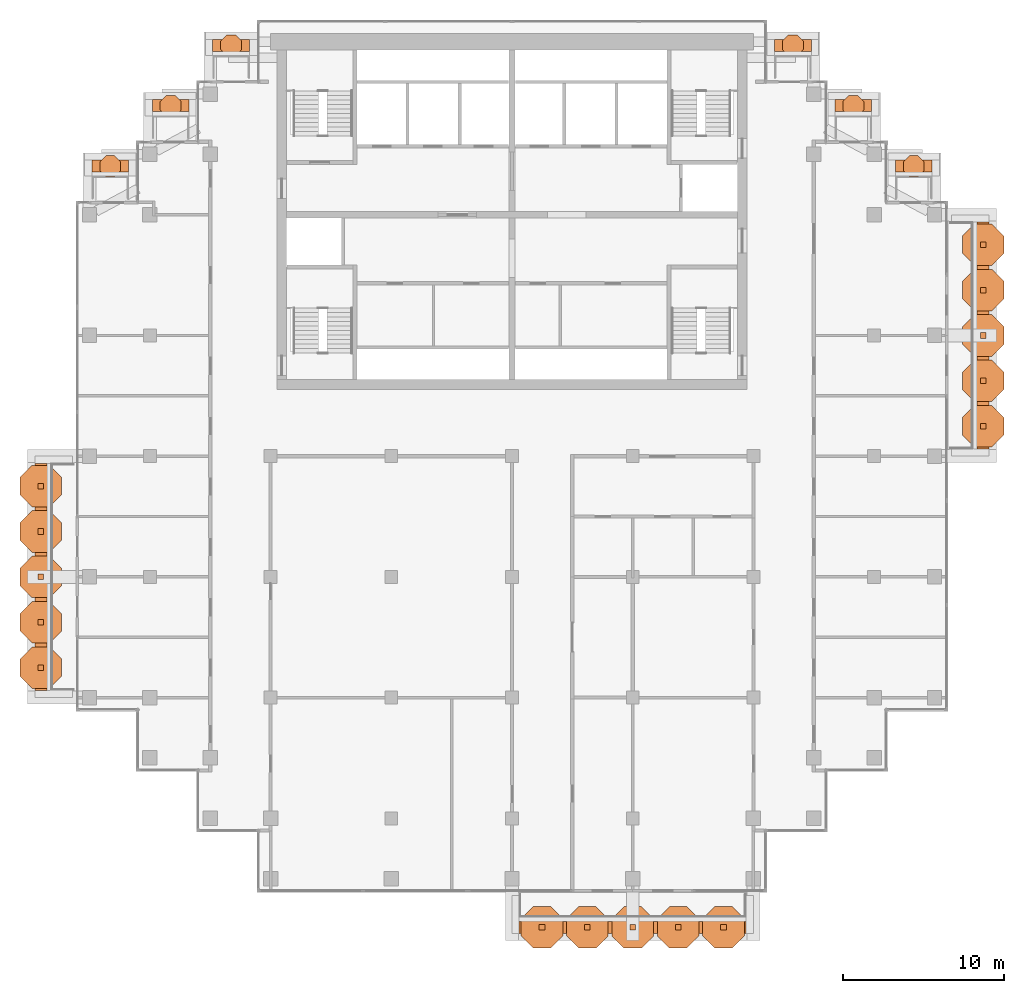
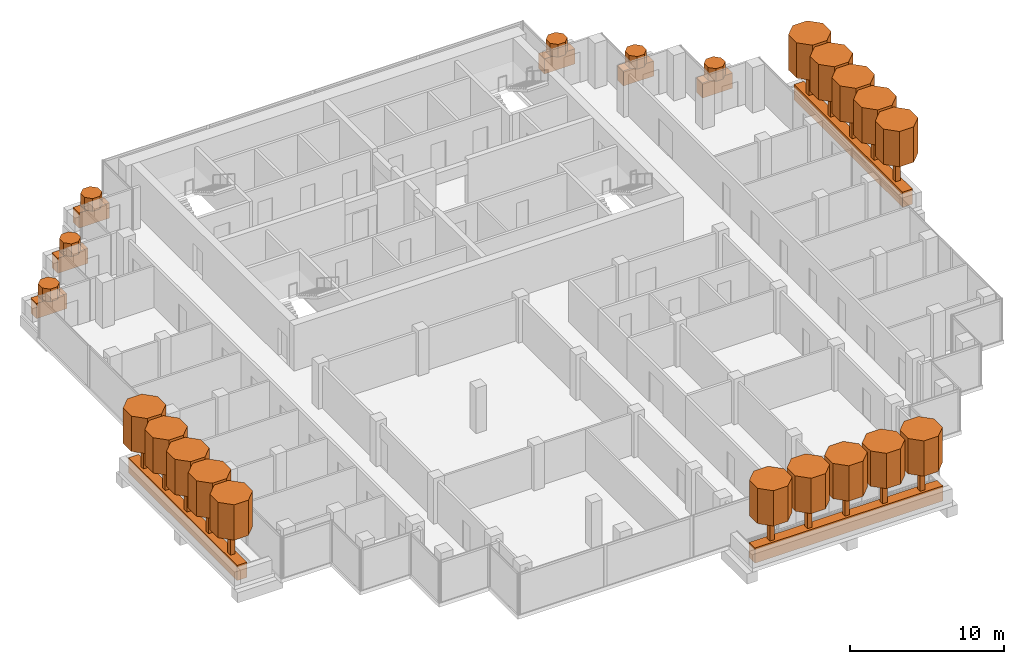
# One storey, part 19 of 19: 45 geographic elements.
"""IFC4 building model written with IfcOpenShell, lengths in metres."""

import ifcopenshell
import ifcopenshell.guid

model = None  # the IFC model being written
_history = None  # IfcOwnerHistory: only IFC2X3 demands one
_inside = {}  # id of a spatial element -> (the spatial element, [elements in it])
_under = {}  # id of a project, library or spatial element -> (it, [spatial elements below it])
_declared = {}  # id of a project -> (the project, [libraries it declares])
_typed = {}  # id of a type object -> (the type object, [elements of that type])
_made_of = {}  # id of a material, layer set ... -> (it, [elements and type objects made of it])


def new_model(schema):
    """Start an empty IFC model of exactly this schema.

    Asked for "IFC4X3", IfcOpenShell would pick the latest addendum, in which some entities
    have other attributes; the version numbers below select the first issue.
    IFC2X3 requires an IfcOwnerHistory on every rooted entity: one is made here for all.
    """
    global model, _history
    if schema == "IFC4X3":
        model = ifcopenshell.file(schema_version=(4, 3, 0, 0))
    else:
        model = ifcopenshell.file(schema=schema)
    _inside.clear()
    _under.clear()
    _declared.clear()
    _typed.clear()
    _made_of.clear()
    _history = None
    if model.schema == "IFC2X3":
        org = make("IfcOrganization", Name="unknown")
        user = make(
            "IfcPersonAndOrganization",
            ThePerson=make("IfcPerson", FamilyName="unknown"),
            TheOrganization=org,
        )
        app = make(
            "IfcApplication",
            ApplicationDeveloper=org,
            Version="unknown",
            ApplicationFullName="unknown",
            ApplicationIdentifier="unknown",
        )
        _history = make(
            "IfcOwnerHistory",
            OwningUser=user,
            OwningApplication=app,
            ChangeAction="ADDED",
            CreationDate=0,
        )
    return model


def make(cls, **values):
    """One entity of the class cls with the attributes given. An attribute that is None is left unset."""
    return model.create_entity(
        cls, **{name: value for name, value in values.items() if value is not None}
    )


def rooted(cls, **values):
    """An entity with a GlobalId (a new one), such as an element, a storey or a relation."""
    return make(cls, GlobalId=ifcopenshell.guid.new(), OwnerHistory=_history, **values)


def si_unit(unit_type, name, prefix=None):
    """IfcSIUnit, for example si_unit("LENGTHUNIT", "METRE", prefix="MILLI")."""
    return make("IfcSIUnit", UnitType=unit_type, Prefix=prefix, Name=name)


def assignment(units):
    """IfcUnitAssignment: the units of a project."""
    return None if units is None else make("IfcUnitAssignment", Units=units)


def point(xyz):
    """IfcCartesianPoint."""
    return None if xyz is None else make("IfcCartesianPoint", Coordinates=xyz)


def direction(xyz):
    """IfcDirection."""
    return None if xyz is None else make("IfcDirection", DirectionRatios=xyz)


def frame(location, z_axis=None, x_axis=None):
    """IfcAxis2Placement3D, a coordinate frame: its origin and axes. An axis left out is left unset."""
    return make(
        "IfcAxis2Placement3D",
        Location=point(location),
        Axis=direction(z_axis),
        RefDirection=direction(x_axis),
    )


def frame_2d(location, x_axis=None):
    """IfcAxis2Placement2D, a coordinate frame in the plane: its origin and x axis."""
    return make(
        "IfcAxis2Placement2D", Location=point(location), RefDirection=direction(x_axis)
    )


def origin():
    """The frame at (0, 0, 0) with its axes left unset."""
    return frame((0.0, 0.0, 0.0))


def origin_2d():
    """The frame at (0, 0) in the plane with its x axis left unset."""
    return frame_2d((0.0, 0.0))


def place(relative_to, where):
    """IfcLocalPlacement: puts the frame where relative to a parent placement (None: the world)."""
    return make(
        "IfcLocalPlacement", PlacementRelTo=relative_to, RelativePlacement=where
    )


def context(
    kind, dimensions, precision=None, world=None, true_north=None, identifier=None
):
    """IfcGeometricRepresentationContext, for example the 3D "Model" context."""
    return make(
        "IfcGeometricRepresentationContext",
        ContextIdentifier=identifier,
        ContextType=kind,
        CoordinateSpaceDimension=dimensions,
        Precision=precision,
        WorldCoordinateSystem=world,
        TrueNorth=true_north,
    )


def subcontext(parent, identifier, kind, view, scale=None):
    """IfcGeometricRepresentationSubContext, for example "Body" below "Model"."""
    return make(
        "IfcGeometricRepresentationSubContext",
        ContextIdentifier=identifier,
        ContextType=kind,
        ParentContext=parent,
        TargetScale=scale,
        TargetView=view,
    )


def project(units=None, contexts=None):
    """IfcProject with its units and contexts."""
    return rooted(
        "IfcProject",
        Name="project",
        RepresentationContexts=contexts,
        UnitsInContext=assignment(units),
    )


def spatial(cls, under=None, at=None, **own):
    """A site, building, storey or space (cls), placed at a placement, below another one or the project."""
    s = rooted(cls, ObjectPlacement=at, **own)
    if under is not None:
        _under.setdefault(under.id(), (under, []))[1].append(s)
    return s


def polyline(points):
    """IfcPolyline through the points."""
    return make("IfcPolyline", Points=[point(p) for p in points])


def profile(cls, at=None, kind="AREA", **sizes):
    """A parametric profile (cls). Its sizes go by their IFC names, for example OverallWidth=200.0."""
    return make(cls, ProfileType=kind, Position=at, **sizes)


def rectangle(**sizes):
    """IfcRectangleProfileDef."""
    return profile("IfcRectangleProfileDef", **sizes)


def outline(outer, holes=None, kind="AREA"):
    """IfcArbitraryClosedProfileDef: a profile drawn as a closed curve; with holes, ...WithVoids."""
    if holes is None:
        return make("IfcArbitraryClosedProfileDef", ProfileType=kind, OuterCurve=outer)
    return make(
        "IfcArbitraryProfileDefWithVoids",
        ProfileType=kind,
        OuterCurve=outer,
        InnerCurves=holes,
    )


def extrude(swept, where, along, depth):
    """IfcExtrudedAreaSolid: the profile swept, set in the frame where, extruded along a direction by depth."""
    return make(
        "IfcExtrudedAreaSolid",
        SweptArea=swept,
        Position=where,
        ExtrudedDirection=direction(along),
        Depth=depth,
    )


def shape(context_of_items, identifier, shape_type, items):
    """IfcShapeRepresentation: the items that make up one representation, for example the "Body"."""
    return make(
        "IfcShapeRepresentation",
        ContextOfItems=context_of_items,
        RepresentationIdentifier=identifier,
        RepresentationType=shape_type,
        Items=items,
    )


def material(Name=None, Category=None):
    """IfcMaterial."""
    return make("IfcMaterial", Name=Name, Category=Category)


def material_profile(
    of_material, cross_section, Name=None, Category=None, Priority=None
):
    """IfcMaterialProfile: a cross section and its material."""
    return make(
        "IfcMaterialProfile",
        Name=Name,
        Material=of_material,
        Profile=cross_section,
        Priority=Priority,
        Category=Category,
    )


def profile_set(profiles, Name=None, composite=None):
    """IfcMaterialProfileSet."""
    return make(
        "IfcMaterialProfileSet",
        Name=Name,
        MaterialProfiles=profiles,
        CompositeProfile=composite,
    )


def made_of(thing, what):
    """Note that an element or type object is made of a material, layer set ...; save() writes the relation."""
    if what is not None:
        _made_of.setdefault(what.id(), (what, []))[1].append(thing)
    return thing


def type_object(cls, material=None, **own):
    """A type object (cls), such as IfcWallType, which elements share."""
    return made_of(rooted(cls, **own), material)


def element(
    cls,
    number,
    at=None,
    inside=None,
    cuts=None,
    type_object=None,
    material=None,
    context=None,
    identifier="Body",
    shape_type=None,
    held_by="IfcProductDefinitionShape",
    body=None,
    shapes=None,
    **own,
):
    """One element of the class cls, such as IfcWall. Its Tag is "e" and its number.

    at: its placement. inside: the storey or other place that contains it. cuts: it is an
    opening in that element (IfcRelVoidsElement). A single representation is given by context,
    identifier, shape_type and body (its items); several are given by shapes. held_by: the class
    of the entity that holds the representations. save() writes the other relations.
    """
    e = rooted(cls, Tag="e%d" % number, ObjectPlacement=at, **own)
    if body is not None:
        shapes = [shape(context, identifier, shape_type, body)]
    if shapes is not None:
        e.Representation = make(held_by, Representations=shapes)
    if inside is not None:
        _inside.setdefault(inside.id(), (inside, []))[1].append(e)
    if cuts is not None:
        rooted(
            "IfcRelVoidsElement", RelatingBuildingElement=cuts, RelatedOpeningElement=e
        )
    if type_object is not None:
        _typed.setdefault(type_object.id(), (type_object, []))[1].append(e)
    return made_of(e, material)


def aggregate(whole, parts):
    """IfcRelAggregates: a whole, such as a stair, and the parts it consists of."""
    return rooted("IfcRelAggregates", RelatingObject=whole, RelatedObjects=parts)


def save(model, path):
    """Write the relations noted so far, then the file.

    IfcRelAggregates (storeys below a building ...), IfcRelContainedInSpatialStructure (elements
    in a storey), IfcRelDefinesByType, IfcRelAssociatesMaterial and IfcRelDeclares: one each for
    every whole, place, type object, material and project.
    """
    for whole, parts in _under.values():
        aggregate(whole, parts)
    for where, things in _inside.values():
        rooted(
            "IfcRelContainedInSpatialStructure",
            RelatedElements=things,
            RelatingStructure=where,
        )
    for kind, things in _typed.values():
        rooted("IfcRelDefinesByType", RelatedObjects=things, RelatingType=kind)
    for what, things in _made_of.values():
        rooted("IfcRelAssociatesMaterial", RelatedObjects=things, RelatingMaterial=what)
    for by, libraries in _declared.values():
        rooted("IfcRelDeclares", RelatingContext=by, RelatedDefinitions=libraries)
    model.write(path)


model = new_model("IFC4")

# Units and contexts
model_context = context("Model", 3, precision=1e-05, world=origin(), true_north=direction((0.0, 1.0)))
body_context = subcontext(model_context, "Body", "Model", "MODEL_VIEW")
ifc_project = project(units=[si_unit("LENGTHUNIT", "METRE"), si_unit("AREAUNIT", "SQUARE_METRE"), si_unit("VOLUMEUNIT", "CUBIC_METRE"), si_unit("PLANEANGLEUNIT", "RADIAN"), si_unit("MASSUNIT", "GRAM", prefix="KILO")], contexts=[model_context])

# Site, building, storey
site_placement = place(None, origin())
site = spatial("IfcSite", under=ifc_project, at=site_placement, CompositionType="ELEMENT")
building_placement = place(site_placement, origin())
building = spatial("IfcBuilding", under=site, at=building_placement, Name="Pilkhan Gate Tower", CompositionType="ELEMENT")
storey_placement = place(building_placement, frame((0.0, 0.0, 239.10009765625)))
storey = spatial("IfcBuildingStorey", under=building, at=storey_placement, Name="L62", CompositionType="ELEMENT", Elevation=239.10009765625)

# Geographic elements
ifc_material_1 = material(Name="Foliage")
ifc_material_profile_1 = material_profile(ifc_material_1, rectangle(XDim=0.75, YDim=1.199951171875, at=origin_2d()), Name="Bed 750x1200")
ifc_profile_set_1 = profile_set([ifc_material_profile_1], Name="Foliage")
geographic_element_type_1 = type_object("IfcGeographicElementType", Name="Planting bed PB1", PredefinedType="USERDEFINED", material=ifc_profile_set_1)
for number, where, z_axis, x_axis, name in (
    (1, (75.449951171875, 38.22509765625, 0.599853515625), (1.0, 0.0, 0.0), (0.0, 1.0, 0.0), "Balcony L62 S planting bed"),
    (2, (104.27490234375, 67.949951171875, 0.599853515625), (0.0, 1.0, 0.0), (-1.0, 0.0, 0.0), "Balcony L62 E planting bed"),
):
    element("IfcGeographicElement", number, at=place(storey_placement, frame(where, z_axis=z_axis, x_axis=x_axis)), inside=storey, type_object=geographic_element_type_1, Name=name, ObjectType="PLANTING BED", PredefinedType="USERDEFINED", context=body_context, shape_type="SweptSolid", body=[
        extrude(rectangle(XDim=0.75, YDim=1.199951171875, at=origin_2d()), origin(), (0.0, 0.0, 1.0), 14.10009765625),
    ])
for number, where, z_axis, x_axis, name in (
    (3, (56.39990234375, 93.02490234375, 0.599853515625), (1.0, 0.0, 0.0), (0.0, 1.0, 0.0), "Balcony L62 N planting bed"),
    (4, (91.300048828125, 93.02490234375, 0.599853515625), (1.0, 0.0, 0.0), (0.0, 1.0, 0.0), "Balcony L62 N planting bed"),
):
    element("IfcGeographicElement", number, at=place(storey_placement, frame(where, z_axis=z_axis, x_axis=x_axis)), inside=storey, type_object=geographic_element_type_1, Name=name, ObjectType="PLANTING BED", PredefinedType="USERDEFINED", context=body_context, shape_type="SweptSolid", body=[
        extrude(rectangle(XDim=0.75, YDim=1.199951171875, at=origin_2d()), origin(), (0.0, 0.0, 1.0), 2.300048828125),
    ])
for number, where, z_axis, x_axis, name in (
    (5, (52.64990234375, 89.27490234375, 0.599853515625), (1.0, 0.0, 0.0), (0.0, 1.0, 0.0), "Balcony L62 N planting bed"),
    (6, (48.89990234375, 85.52490234375, 0.599853515625), (1.0, 0.0, 0.0), (0.0, 1.0, 0.0), "Balcony L62 N planting bed"),
    (7, (95.070068359375, 89.27490234375, 0.599853515625), (1.0, 0.0, 0.0), (0.0, 1.0, 0.0), "Balcony L62 N planting bed"),
    (8, (98.820068359375, 85.52490234375, 0.599853515625), (1.0, 0.0, 0.0), (0.0, 1.0, 0.0), "Balcony L62 N planting bed"),
):
    element("IfcGeographicElement", number, at=place(storey_placement, frame(where, z_axis=z_axis, x_axis=x_axis)), inside=storey, type_object=geographic_element_type_1, Name=name, ObjectType="PLANTING BED", PredefinedType="USERDEFINED", context=body_context, shape_type="SweptSolid", body=[
        extrude(rectangle(XDim=0.75, YDim=1.199951171875, at=origin_2d()), origin(), (0.0, 0.0, 1.0), 2.280029296875),
    ])
geographic_element_placement = place(storey_placement, frame((45.72509765625, 52.949951171875, 0.599853515625), z_axis=(0.0, 1.0, 0.0), x_axis=(-1.0, 0.0, 0.0)))
element("IfcGeographicElement", 9, at=geographic_element_placement, inside=storey, type_object=geographic_element_type_1, Name="Balcony L62 W planting bed", ObjectType="PLANTING BED", PredefinedType="USERDEFINED", context=body_context, shape_type="SweptSolid", body=[
    extrude(rectangle(XDim=0.75, YDim=1.199951171875, at=origin_2d()), origin(), (0.0, 0.0, 1.0), 14.10009765625),
])
ifc_material_profile_2 = material_profile(ifc_material_1, outline(polyline([(0.646728515625, 0.267822265625), (0.267822265625, 0.646728515625), (-0.267822265625, 0.646728515625), (-0.646728515625, 0.267822265625), (-0.646728515625, -0.267822265625), (-0.267822265625, -0.646728515625), (0.267822265625, -0.646728515625), (0.646728515625, -0.267822265625), (0.646728515625, 0.267822265625)])), Name="Shrub D1.4")
ifc_profile_set_2 = profile_set([ifc_material_profile_2], Name="Foliage")
geographic_element_type_2 = type_object("IfcGeographicElementType", Name="Shrub SH07", PredefinedType="USERDEFINED", material=ifc_profile_set_2)
for number, where, z_axis, x_axis, name in (
    (10, (57.550048828125, 93.02490234375, 1.199951171875), (0.0, 0.0, 1.0), (1.0, 0.0, 0.0), "Shrub L62 N 1"),
    (11, (92.449951171875, 93.02490234375, 1.199951171875), (0.0, 0.0, 1.0), (1.0, 0.0, 0.0), "Shrub L62 N 1"),
    (12, (53.7900390625, 89.27490234375, 1.199951171875), (0.0, 0.0, 1.0), (1.0, 0.0, 0.0), "Shrub L62 N 1"),
    (13, (50.0400390625, 85.52490234375, 1.199951171875), (0.0, 0.0, 1.0), (1.0, 0.0, 0.0), "Shrub L62 N 1"),
    (14, (96.2099609375, 89.27490234375, 1.199951171875), (0.0, 0.0, 1.0), (1.0, 0.0, 0.0), "Shrub L62 N 1"),
    (15, (99.9599609375, 85.52490234375, 1.199951171875), (0.0, 0.0, 1.0), (1.0, 0.0, 0.0), "Shrub L62 N 1"),
):
    element("IfcGeographicElement", number, at=place(storey_placement, frame(where, z_axis=z_axis, x_axis=x_axis)), inside=storey, type_object=geographic_element_type_2, Name=name, ObjectType="SHRUB", PredefinedType="USERDEFINED", context=body_context, shape_type="SweptSolid", body=[
        extrude(outline(polyline([(0.646728515625, 0.267822265625), (0.267822265625, 0.646728515625), (-0.267822265625, 0.646728515625), (-0.646728515625, 0.267822265625), (-0.646728515625, -0.267822265625), (-0.267822265625, -0.646728515625), (0.267822265625, -0.646728515625), (0.646728515625, -0.267822265625), (0.646728515625, 0.267822265625)])), origin(), (0.0, 0.0, 1.0), 1.0),
    ])
ifc_material_profile_3 = material_profile(ifc_material_1, outline(polyline([(1.29345703125, 0.535888671875), (0.535888671875, 1.29345703125), (-0.535888671875, 1.29345703125), (-1.29345703125, 0.535888671875), (-1.29345703125, -0.535888671875), (-0.535888671875, -1.29345703125), (0.535888671875, -1.29345703125), (1.29345703125, -0.535888671875), (1.29345703125, 0.535888671875)])), Name="Canopy D2.8")
ifc_profile_set_3 = profile_set([ifc_material_profile_3], Name="Foliage")
geographic_element_type_3 = type_object("IfcGeographicElementType", Name="Tree canopy TC14", PredefinedType="USERDEFINED", material=ifc_profile_set_3)
for number, where, z_axis, x_axis, name in (
    (16, (76.860107421875, 38.22509765625, 3.199951171875), (0.0, 0.0, 1.0), (1.0, 0.0, 0.0), "Tree L62 S 1 canopy"),
    (17, (79.679931640625, 38.22509765625, 3.199951171875), (0.0, 0.0, 1.0), (1.0, 0.0, 0.0), "Tree L62 S 2 canopy"),
    (18, (82.5, 38.22509765625, 3.199951171875), (0.0, 0.0, 1.0), (1.0, 0.0, 0.0), "Tree L62 S 3 canopy"),
    (19, (85.320068359375, 38.22509765625, 3.199951171875), (0.0, 0.0, 1.0), (1.0, 0.0, 0.0), "Tree L62 S 4 canopy"),
    (20, (88.139892578125, 38.22509765625, 3.199951171875), (0.0, 0.0, 1.0), (1.0, 0.0, 0.0), "Tree L62 S 5 canopy"),
    (21, (104.27490234375, 69.360107421875, 3.199951171875), (0.0, 0.0, 1.0), (1.0, 0.0, 0.0), "Tree L62 E 1 canopy"),
    (22, (104.27490234375, 72.179931640625, 3.199951171875), (0.0, 0.0, 1.0), (1.0, 0.0, 0.0), "Tree L62 E 2 canopy"),
    (23, (104.27490234375, 75.0, 3.199951171875), (0.0, 0.0, 1.0), (1.0, 0.0, 0.0), "Tree L62 E 3 canopy"),
    (24, (104.27490234375, 77.820068359375, 3.199951171875), (0.0, 0.0, 1.0), (1.0, 0.0, 0.0), "Tree L62 E 4 canopy"),
    (25, (104.27490234375, 80.639892578125, 3.199951171875), (0.0, 0.0, 1.0), (1.0, 0.0, 0.0), "Tree L62 E 5 canopy"),
    (26, (45.72509765625, 54.360107421875, 3.199951171875), (0.0, 0.0, 1.0), (1.0, 0.0, 0.0), "Tree L62 W 1 canopy"),
    (27, (45.72509765625, 57.179931640625, 3.199951171875), (0.0, 0.0, 1.0), (1.0, 0.0, 0.0), "Tree L62 W 2 canopy"),
    (28, (45.72509765625, 60.0, 3.199951171875), (0.0, 0.0, 1.0), (1.0, 0.0, 0.0), "Tree L62 W 3 canopy"),
    (29, (45.72509765625, 62.820068359375, 3.199951171875), (0.0, 0.0, 1.0), (1.0, 0.0, 0.0), "Tree L62 W 4 canopy"),
    (30, (45.72509765625, 65.639892578125, 3.199951171875), (0.0, 0.0, 1.0), (1.0, 0.0, 0.0), "Tree L62 W 5 canopy"),
):
    element("IfcGeographicElement", number, at=place(storey_placement, frame(where, z_axis=z_axis, x_axis=x_axis)), inside=storey, type_object=geographic_element_type_3, Name=name, ObjectType="TREE", PredefinedType="USERDEFINED", context=body_context, shape_type="SweptSolid", body=[
        extrude(outline(polyline([(1.29345703125, 0.535888671875), (0.535888671875, 1.29345703125), (-0.535888671875, 1.29345703125), (-1.29345703125, 0.535888671875), (-1.29345703125, -0.535888671875), (-0.535888671875, -1.29345703125), (0.535888671875, -1.29345703125), (1.29345703125, -0.535888671875), (1.29345703125, 0.535888671875)])), origin(), (0.0, 0.0, 1.0), 2.800048828125),
    ])
ifc_material_2 = material(Name="Timber trunk", Category="wood")
geographic_element_type_4 = type_object("IfcGeographicElementType", Name="Tree trunk TT1", PredefinedType="USERDEFINED", material=ifc_material_2)
for number, where, z_axis, x_axis, name in (
    (31, (76.860107421875, 38.22509765625, 1.199951171875), (0.0, 0.0, 1.0), (1.0, 0.0, 0.0), "Tree L62 S 1 trunk"),
    (32, (79.679931640625, 38.22509765625, 1.199951171875), (0.0, 0.0, 1.0), (1.0, 0.0, 0.0), "Tree L62 S 2 trunk"),
    (33, (82.5, 38.22509765625, 1.199951171875), (0.0, 0.0, 1.0), (1.0, 0.0, 0.0), "Tree L62 S 3 trunk"),
    (34, (85.320068359375, 38.22509765625, 1.199951171875), (0.0, 0.0, 1.0), (1.0, 0.0, 0.0), "Tree L62 S 4 trunk"),
    (35, (88.139892578125, 38.22509765625, 1.199951171875), (0.0, 0.0, 1.0), (1.0, 0.0, 0.0), "Tree L62 S 5 trunk"),
    (36, (104.27490234375, 69.360107421875, 1.199951171875), (0.0, 0.0, 1.0), (1.0, 0.0, 0.0), "Tree L62 E 1 trunk"),
    (37, (104.27490234375, 72.179931640625, 1.199951171875), (0.0, 0.0, 1.0), (1.0, 0.0, 0.0), "Tree L62 E 2 trunk"),
    (38, (104.27490234375, 75.0, 1.199951171875), (0.0, 0.0, 1.0), (1.0, 0.0, 0.0), "Tree L62 E 3 trunk"),
    (39, (104.27490234375, 77.820068359375, 1.199951171875), (0.0, 0.0, 1.0), (1.0, 0.0, 0.0), "Tree L62 E 4 trunk"),
    (40, (104.27490234375, 80.639892578125, 1.199951171875), (0.0, 0.0, 1.0), (1.0, 0.0, 0.0), "Tree L62 E 5 trunk"),
    (41, (45.72509765625, 54.360107421875, 1.199951171875), (0.0, 0.0, 1.0), (1.0, 0.0, 0.0), "Tree L62 W 1 trunk"),
    (42, (45.72509765625, 57.179931640625, 1.199951171875), (0.0, 0.0, 1.0), (1.0, 0.0, 0.0), "Tree L62 W 2 trunk"),
    (43, (45.72509765625, 60.0, 1.199951171875), (0.0, 0.0, 1.0), (1.0, 0.0, 0.0), "Tree L62 W 3 trunk"),
    (44, (45.72509765625, 62.820068359375, 1.199951171875), (0.0, 0.0, 1.0), (1.0, 0.0, 0.0), "Tree L62 W 4 trunk"),
    (45, (45.72509765625, 65.639892578125, 1.199951171875), (0.0, 0.0, 1.0), (1.0, 0.0, 0.0), "Tree L62 W 5 trunk"),
):
    element("IfcGeographicElement", number, at=place(storey_placement, frame(where, z_axis=z_axis, x_axis=x_axis)), inside=storey, type_object=geographic_element_type_4, Name=name, ObjectType="TREE", PredefinedType="USERDEFINED", context=body_context, shape_type="SweptSolid", body=[
        extrude(rectangle(XDim=0.35009765625, YDim=0.35009765625, at=origin_2d()), origin(), (0.0, 0.0, 1.0), 2.0),
    ])

save(model, "model.ifc")
